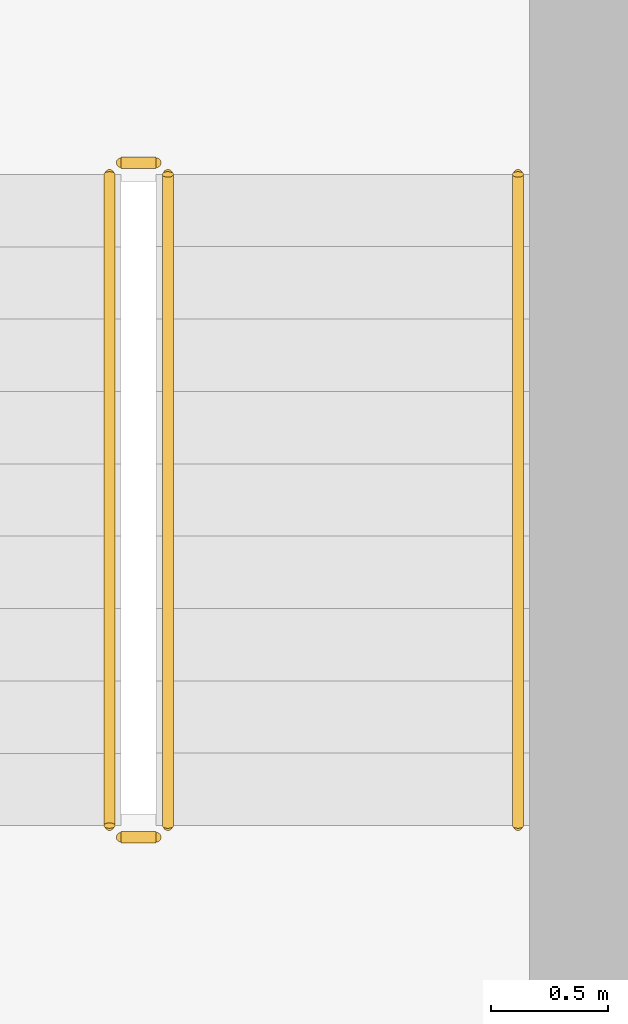
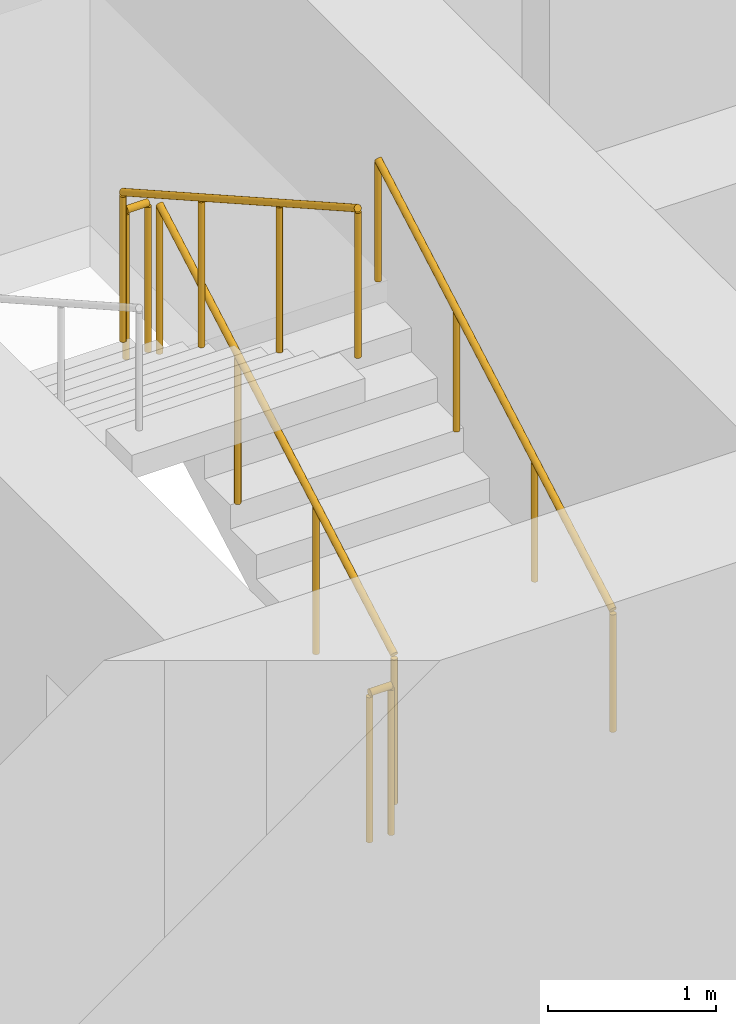
# One storey, part 17 of 21: 5 railings.
"""IFC4 building model written with IfcOpenShell, lengths in metres."""

from ifc_helpers import new_model, si_unit, direction, frame, origin, origin_2d, place, context, subcontext, project, spatial, circle, extrude, material, type_object, element, save


model = new_model("IFC4")

# Units and contexts
model_context = context("Model", 3, precision=1e-05, world=origin(), true_north=direction((0.0, 1.0)))
body_context = subcontext(model_context, "Body", "Model", "MODEL_VIEW")
ifc_project = project(units=[si_unit("LENGTHUNIT", "METRE"), si_unit("AREAUNIT", "SQUARE_METRE"), si_unit("VOLUMEUNIT", "CUBIC_METRE"), si_unit("PLANEANGLEUNIT", "RADIAN"), si_unit("MASSUNIT", "GRAM", prefix="KILO")], contexts=[model_context])

# Site, building, storey
site_placement = place(None, origin())
site = spatial("IfcSite", under=ifc_project, at=site_placement, CompositionType="ELEMENT")
building_placement = place(site_placement, origin())
building = spatial("IfcBuilding", under=site, at=building_placement, Name="Madar Terraces", CompositionType="ELEMENT")
storey_placement = place(building_placement, frame((0.0, 0.0, 46.89990234375)))
storey = spatial("IfcBuildingStorey", under=building, at=storey_placement, Name="L11", CompositionType="ELEMENT", Elevation=46.89990234375)

# Railings
ifc_material_1 = material(Name="Stainless steel railing", Category="steel")
railing_type_1 = type_object("IfcRailingType", Name="Stair guard 1100", PredefinedType="GUARDRAIL", material=ifc_material_1)
railing_1_placement = place(storey_placement, frame((21.199951171875, 17.60009765625, 0.175048828125)))
element("IfcRailing", 1, at=railing_1_placement, inside=storey, type_object=railing_type_1, Name="L11 ST1 stair guard 1", PredefinedType="GUARDRAIL", context=body_context, shape_type="SweptSolid", body=[
    extrude(circle(Radius=0.02392578125, at=origin_2d()), frame((0.0, 0.0, 1.076171875), z_axis=(0.0, 0.870815363784, 0.491610213684), x_axis=(-1.0, 0.0, 0.0)), (0.0, 0.0, 1.0), 3.20361328125),
    extrude(circle(Radius=0.02099609375, at=origin_2d()), origin(), (0.0, 0.0, 1.0), 1.052001953125),
    extrude(circle(Radius=0.02099609375, at=origin_2d()), frame((0.0, 0.929931640625, 0.52490234375)), (0.0, 0.0, 1.0), 1.052001953125),
    extrude(circle(Radius=0.02099609375, at=origin_2d()), frame((0.0, 1.85986328125, 1.050048828125)), (0.0, 0.0, 1.0), 1.052001953125),
    extrude(circle(Radius=0.02099609375, at=origin_2d()), frame((0.0, 2.789794921875, 1.574951171875)), (0.0, 0.0, 1.0), 1.052001953125),
])
railing_2_placement = place(storey_placement, frame((21.14990234375, 20.43994140625, 1.75)))
element("IfcRailing", 2, at=railing_2_placement, inside=storey, type_object=railing_type_1, Name="L11 ST1 stair guard 2", PredefinedType="GUARDRAIL", context=body_context, shape_type="SweptSolid", body=[
    extrude(circle(Radius=0.02392578125, at=origin_2d()), frame((0.0, 0.0, 1.076171875), z_axis=(-1.0, 0.0, 0.0), x_axis=(0.0, -1.0, 0.0)), (0.0, 0.0, 1.0), 0.14990234375),
    extrude(circle(Radius=0.02099609375, at=origin_2d()), origin(), (0.0, 0.0, 1.0), 1.052001953125),
    extrude(circle(Radius=0.02099609375, at=origin_2d()), frame((-0.14990234375, 0.0, 0.0)), (0.0, 0.0, 1.0), 1.052001953125),
])
railing_3_placement = place(storey_placement, frame((20.949951171875, 20.389892578125, 1.925048828125)))
element("IfcRailing", 3, at=railing_3_placement, inside=storey, type_object=railing_type_1, Name="L11 ST1 stair guard 3", PredefinedType="GUARDRAIL", context=body_context, shape_type="SweptSolid", body=[
    extrude(circle(Radius=0.02392578125, at=origin_2d()), frame((0.0, 0.0, 1.076171875), z_axis=(0.0, -0.870815363784, 0.491610213684), x_axis=(1.0, 0.0, 0.0)), (0.0, 0.0, 1.0), 3.20361328125),
    extrude(circle(Radius=0.02099609375, at=origin_2d()), origin(), (0.0, 0.0, 1.0), 1.052001953125),
    extrude(circle(Radius=0.02099609375, at=origin_2d()), frame((0.0, -0.929931640625, 0.52490234375)), (0.0, 0.0, 1.0), 1.052001953125),
    extrude(circle(Radius=0.02099609375, at=origin_2d()), frame((0.0, -1.85986328125, 1.050048828125)), (0.0, 0.0, 1.0), 1.052001953125),
    extrude(circle(Radius=0.02099609375, at=origin_2d()), frame((0.0, -2.789794921875, 1.574951171875)), (0.0, 0.0, 1.0), 1.052001953125),
])
railing_4_placement = place(storey_placement, frame((21.14990234375, 17.550048828125, 0.0)))
element("IfcRailing", 4, at=railing_4_placement, inside=storey, type_object=railing_type_1, Name="L11 ST1 stair guard 4", PredefinedType="GUARDRAIL", context=body_context, shape_type="SweptSolid", body=[
    extrude(circle(Radius=0.02392578125, at=origin_2d()), frame((0.0, 0.0, 1.076171875), z_axis=(-1.0, 0.0, 0.0), x_axis=(0.0, -1.0, 0.0)), (0.0, 0.0, 1.0), 0.14990234375),
    extrude(circle(Radius=0.02099609375, at=origin_2d()), origin(), (0.0, 0.0, 1.0), 1.052001953125),
    extrude(circle(Radius=0.02099609375, at=origin_2d()), frame((-0.14990234375, 0.0, 0.0)), (0.0, 0.0, 1.0), 1.052001953125),
])
ifc_material_2 = material(Name="Stainless steel railing", Category="steel")
railing_type_2 = type_object("IfcRailingType", Name="Stair handrail 900", PredefinedType="HANDRAIL", material=ifc_material_2)
railing_5_placement = place(storey_placement, frame((22.699951171875, 17.60009765625, 0.175048828125)))
element("IfcRailing", 5, at=railing_5_placement, inside=storey, type_object=railing_type_2, Name="L11 ST1 stair handrail 1", PredefinedType="HANDRAIL", context=body_context, shape_type="SweptSolid", body=[
    extrude(circle(Radius=0.02392578125, at=origin_2d()), frame((0.0, 0.0, 0.8759765625), z_axis=(0.0, 0.870815363784, 0.491610213684), x_axis=(-1.0, 0.0, 0.0)), (0.0, 0.0, 1.0), 3.20361328125),
    extrude(circle(Radius=0.02099609375, at=origin_2d()), origin(), (0.0, 0.0, 1.0), 0.851806640625),
    extrude(circle(Radius=0.02099609375, at=origin_2d()), frame((0.0, 0.929931640625, 0.52490234375)), (0.0, 0.0, 1.0), 0.851806640625),
    extrude(circle(Radius=0.02099609375, at=origin_2d()), frame((0.0, 1.85986328125, 1.050048828125)), (0.0, 0.0, 1.0), 0.851806640625),
    extrude(circle(Radius=0.02099609375, at=origin_2d()), frame((0.0, 2.789794921875, 1.574951171875)), (0.0, 0.0, 1.0), 0.851806640625),
])

save(model, "model.ifc")
